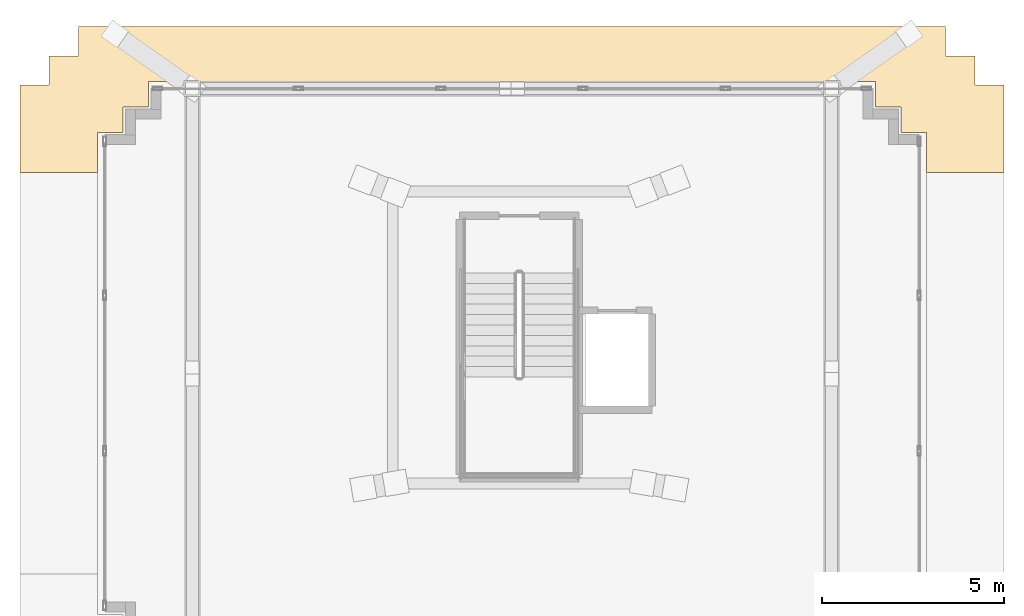
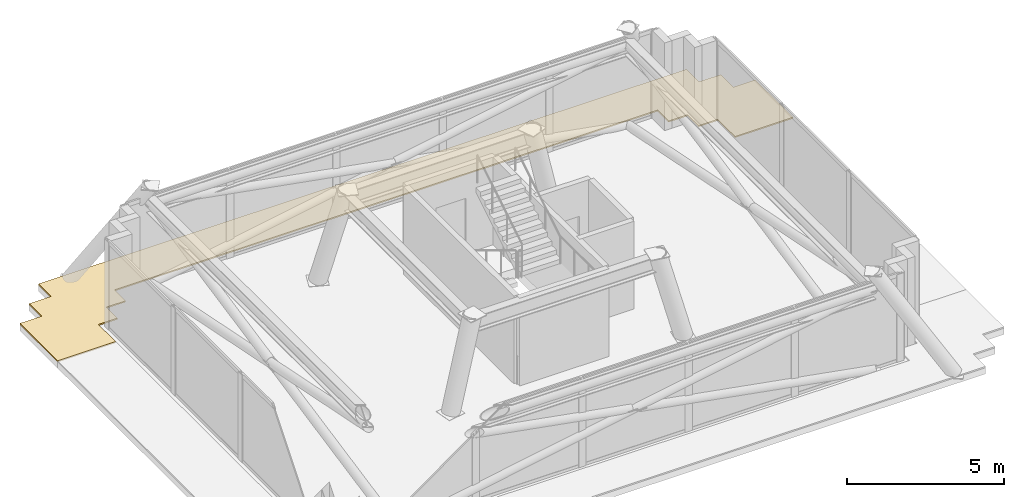
# One storey, part 8 of 8: 1 covering.
"""IFC4 building model written with IfcOpenShell, lengths in metres."""

from ifc_helpers import new_model, si_unit, direction, frame, origin, place, context, subcontext, project, spatial, polyline, outline, extrude, material, layer, layer_set, type_object, element, save


model = new_model("IFC4")

# Units and contexts
model_context = context("Model", 3, precision=1e-05, world=origin(), true_north=direction((0.0, 1.0)))
body_context = subcontext(model_context, "Body", "Model", "MODEL_VIEW")
ifc_project = project(units=[si_unit("LENGTHUNIT", "METRE"), si_unit("AREAUNIT", "SQUARE_METRE"), si_unit("VOLUMEUNIT", "CUBIC_METRE"), si_unit("PLANEANGLEUNIT", "RADIAN"), si_unit("MASSUNIT", "GRAM", prefix="KILO")], contexts=[model_context])

# Site, building, storey
site_placement = place(None, origin())
site = spatial("IfcSite", under=ifc_project, at=site_placement, CompositionType="ELEMENT")
building_placement = place(site_placement, origin())
building = spatial("IfcBuilding", under=site, at=building_placement, Name="Qobustan Lattice House", CompositionType="ELEMENT")
storey_placement = place(building_placement, frame((0.0, 0.0, 289.199951171875)))
storey = spatial("IfcBuildingStorey", under=building, at=storey_placement, Name="L81", CompositionType="ELEMENT", Elevation=289.199951171875)

# Covering
ifc_material = material(Name="Insulated stone-ballasted roof membrane", Category="masonry")
ifc_layer = layer(ifc_material, 0.050048828125)
ifc_layer_set = layer_set([ifc_layer], Name="Insulated stone-ballasted roof membrane")
covering_type = type_object("IfcCoveringType", Name="COV-ROOF-MEMB", PredefinedType="ROOFING", material=ifc_layer_set)
covering_placement = place(storey_placement, origin())
element("IfcCovering", 1, at=covering_placement, inside=storey, type_object=covering_type, Name="L81 crown step roof membrane 2", PredefinedType="ROOFING", context=body_context, shape_type="SweptSolid", body=[
    extrude(outline(polyline([(-13.693603515625, 3.908447265625), (-11.56640625, 3.908447265625), (-11.56640625, 5.008544921875), (-10.866455078125, 5.008544921875), (-10.866455078125, 5.70849609375), (-10.16650390625, 5.70849609375), (-10.16650390625, 6.408447265625), (9.7666015625, 6.408447265625), (9.7666015625, 5.70849609375), (10.466552734375, 5.70849609375), (10.466552734375, 5.008544921875), (11.16650390625, 5.008544921875), (11.16650390625, 3.908447265625), (13.29345703125, 3.908447265625), (13.29345703125, 6.306396484375), (12.493408203125, 6.306396484375), (12.493408203125, 7.1064453125), (11.693603515625, 7.1064453125), (11.693603515625, 7.906494140625), (-12.093505859375, 7.906494140625), (-12.093505859375, 7.1064453125), (-12.8935546875, 7.1064453125), (-12.8935546875, 6.306396484375), (-13.693603515625, 6.306396484375), (-13.693603515625, 3.908447265625)])), origin(), (0.0, 0.0, 1.0), 0.050048828125),
])

save(model, "model.ifc")
